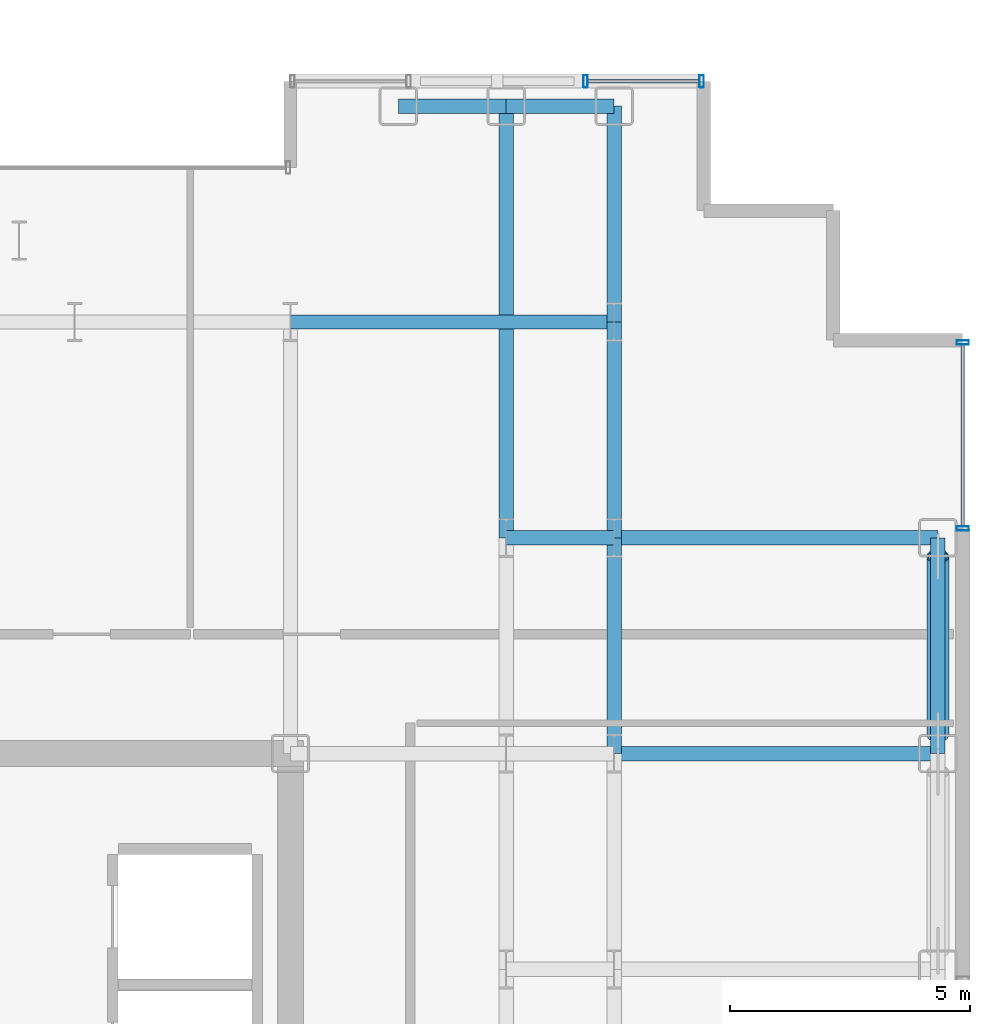
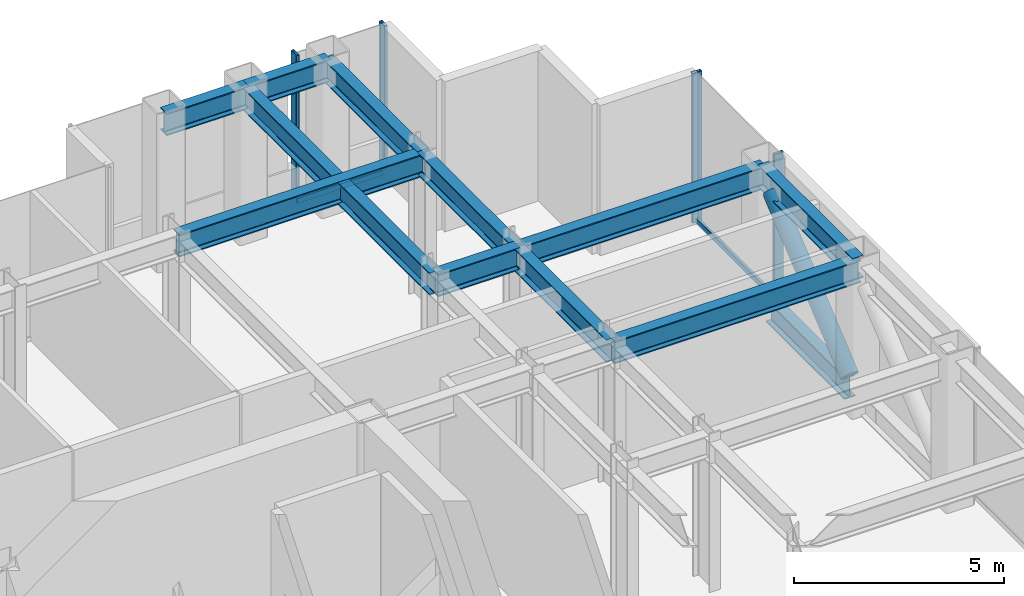
# One storey, part 16 of 26: 11 beams, 8 members, 2 elements without a shape of their own.
"""IFC4 building model written with IfcOpenShell, lengths in metres."""

from ifc_helpers import new_model, si_unit, direction, frame, origin, origin_2d, place, context, subcontext, project, spatial, hollow_rectangle, hollow_circle, i_section, extrude, source, transform, mapped, material, layer, layer_set, material_profile, profile_set, type_object, element, aggregate, save


model = new_model("IFC4")

# Units and contexts
model_context = context("Model", 3, precision=1e-05, world=origin(), true_north=direction((0.0, 1.0)))
body_context = subcontext(model_context, "Body", "Model", "MODEL_VIEW")
ifc_project = project(units=[si_unit("LENGTHUNIT", "METRE"), si_unit("AREAUNIT", "SQUARE_METRE"), si_unit("VOLUMEUNIT", "CUBIC_METRE"), si_unit("PLANEANGLEUNIT", "RADIAN"), si_unit("MASSUNIT", "GRAM", prefix="KILO")], contexts=[model_context])

# Site, building, storey
site_placement = place(None, origin())
site = spatial("IfcSite", under=ifc_project, at=site_placement, CompositionType="ELEMENT")
building_placement = place(site_placement, origin())
building = spatial("IfcBuilding", under=site, at=building_placement, Name="Nefas-Gora Pilgrimage Tower", CompositionType="ELEMENT")
storey_placement = place(building_placement, frame((0.0, 0.0, 202.0)))
storey = spatial("IfcBuildingStorey", under=building, at=storey_placement, Name="L50", CompositionType="ELEMENT", Elevation=202.0)

# Beams
ifc_material_1 = material(Name="Steel S355", Category="steel")
ifc_material_profile_1 = material_profile(ifc_material_1, i_section(OverallWidth=0.300048828125, OverallDepth=0.64990234375, WebThickness=0.01611328125, FlangeThickness=0.031005859375, FilletRadius=0.027099609375, at=origin_2d()), Name="HEB 650")
ifc_profile_set_1 = profile_set([ifc_material_profile_1], Name="Steel S355")
beam_type_1 = type_object("IfcBeamType", Name="BM-SPN-HEB500", PredefinedType="SPANDREL", material=ifc_profile_set_1)
shared_shape_1 = source(origin(), body_context, "Body", "SweptSolid", [
    extrude(i_section(OverallWidth=0.300048828125, OverallDepth=0.64990234375, WebThickness=0.01611328125, FlangeThickness=0.031005859375, FilletRadius=0.027099609375, at=origin_2d()), origin(), (0.0, 0.0, 1.0), 4.5),
])
beam_1_placement = place(storey_placement, frame((24.75, 9.0, 4.02490234375), z_axis=(0.0, 1.0, 0.0), x_axis=(-1.0, 0.0, 0.0)))
element("IfcBeam", 1, at=beam_1_placement, inside=storey, type_object=beam_type_1, Name="L50 SP-02 beam", PredefinedType="SPANDREL", context=body_context, shape_type="MappedRepresentation", body=[
    mapped(shared_shape_1, transform((0.0, 0.0, 0.0), x_axis=(1.0, 0.0, 0.0), y_axis=(0.0, 1.0, 0.0), z_axis=(0.0, 0.0, 1.0), scale=1.0)),
])
ifc_material_profile_2 = material_profile(ifc_material_1, i_section(OverallWidth=0.300048828125, OverallDepth=0.64990234375, WebThickness=0.01611328125, FlangeThickness=0.031005859375, FilletRadius=0.027099609375, at=origin_2d()), Name="HEB 650")
ifc_profile_set_2 = profile_set([ifc_material_profile_2], Name="Steel S355")
beam_type_2 = type_object("IfcBeamType", Name="BM-GIR-HEB650", PredefinedType="BEAM", material=ifc_profile_set_2)
shared_shape_2 = source(origin(), body_context, "Body", "SweptSolid", [
    extrude(i_section(OverallWidth=0.300048828125, OverallDepth=0.64990234375, WebThickness=0.01611328125, FlangeThickness=0.031005859375, FilletRadius=0.027099609375, at=origin_2d()), origin(), (0.0, 0.0, 1.0), 9.0),
])
beam_2_placement = place(storey_placement, frame((15.75, 13.5, 4.02490234375), z_axis=(0.0, 1.0, 0.0), x_axis=(-1.0, 0.0, 0.0)))
element("IfcBeam", 2, at=beam_2_placement, inside=storey, type_object=beam_type_2, Name="L50 G-03 beam", PredefinedType="BEAM", context=body_context, shape_type="MappedRepresentation", body=[
    mapped(shared_shape_2, transform((0.0, 0.0, 0.0), x_axis=(1.0, 0.0, 0.0), y_axis=(0.0, 1.0, 0.0), z_axis=(0.0, 0.0, 1.0), scale=1.0)),
])
shared_shape_3 = source(origin(), body_context, "Body", "SweptSolid", [
    extrude(i_section(OverallWidth=0.300048828125, OverallDepth=0.64990234375, WebThickness=0.01611328125, FlangeThickness=0.031005859375, FilletRadius=0.027099609375, at=origin_2d()), origin(), (0.0, 0.0, 1.0), 4.5),
])
for number, where, z_axis, x_axis, name in (
    (3, (18.0, 9.0, 4.02490234375), (0.0, 1.0, 0.0), (-1.0, 0.0, 0.0), "L50 G-03 beam"),
    (4, (18.0, 13.5, 4.02490234375), (0.0, 1.0, 0.0), (-1.0, 0.0, 0.0), "L50 G-03 beam"),
    (5, (18.0, 18.0, 4.02490234375), (0.0, 1.0, 0.0), (-1.0, 0.0, 0.0), "L50 G-03 beam"),
):
    element("IfcBeam", number, at=place(storey_placement, frame(where, z_axis=z_axis, x_axis=x_axis)), inside=storey, type_object=beam_type_2, Name=name, PredefinedType="BEAM", context=body_context, shape_type="MappedRepresentation", body=[
        mapped(shared_shape_3, transform((0.0, 0.0, 0.0), x_axis=(1.0, 0.0, 0.0), y_axis=(0.0, 1.0, 0.0), z_axis=(0.0, 0.0, 1.0), scale=1.0)),
    ])
shared_shape_4 = source(origin(), body_context, "Body", "SweptSolid", [
    extrude(i_section(OverallWidth=0.300048828125, OverallDepth=0.64990234375, WebThickness=0.01611328125, FlangeThickness=0.031005859375, FilletRadius=0.027099609375, at=origin_2d()), origin(), (0.0, 0.0, 1.0), 6.75),
])
for number, where, z_axis, x_axis, name in (
    (6, (11.25, 18.0, 4.02490234375), (1.0, 0.0, 0.0), (0.0, 1.0, 0.0), "L50 G-03 beam"),
    (7, (18.0, 9.0, 4.02490234375), (1.0, 0.0, 0.0), (0.0, 1.0, 0.0), "L50 G-03 beam"),
    (8, (18.0, 13.5, 4.02490234375), (1.0, 0.0, 0.0), (0.0, 1.0, 0.0), "L50 G-03 beam"),
):
    element("IfcBeam", number, at=place(storey_placement, frame(where, z_axis=z_axis, x_axis=x_axis)), inside=storey, type_object=beam_type_2, Name=name, PredefinedType="BEAM", context=body_context, shape_type="MappedRepresentation", body=[
        mapped(shared_shape_4, transform((0.0, 0.0, 0.0), x_axis=(1.0, 0.0, 0.0), y_axis=(0.0, 1.0, 0.0), z_axis=(0.0, 0.0, 1.0), scale=1.0)),
    ])
shared_shape_5 = source(origin(), body_context, "Body", "SweptSolid", [
    extrude(i_section(OverallWidth=0.300048828125, OverallDepth=0.64990234375, WebThickness=0.01611328125, FlangeThickness=0.031005859375, FilletRadius=0.027099609375, at=origin_2d()), origin(), (0.0, 0.0, 1.0), 2.25),
])
for number, where, z_axis, x_axis, name in (
    (9, (13.5, 22.5, 4.02490234375), (1.0, 0.0, 0.0), (0.0, 1.0, 0.0), "L50 SP-02 beam"),
    (10, (15.75, 22.5, 4.02490234375), (1.0, 0.0, 0.0), (0.0, 1.0, 0.0), "L50 SP-02 beam"),
):
    element("IfcBeam", number, at=place(storey_placement, frame(where, z_axis=z_axis, x_axis=x_axis)), inside=storey, type_object=beam_type_1, Name=name, PredefinedType="SPANDREL", context=body_context, shape_type="MappedRepresentation", body=[
        mapped(shared_shape_5, transform((0.0, 0.0, 0.0), x_axis=(1.0, 0.0, 0.0), y_axis=(0.0, 1.0, 0.0), z_axis=(0.0, 0.0, 1.0), scale=1.0)),
    ])
shared_shape_6 = source(origin(), body_context, "Body", "SweptSolid", [
    extrude(i_section(OverallWidth=0.300048828125, OverallDepth=0.64990234375, WebThickness=0.01611328125, FlangeThickness=0.031005859375, FilletRadius=0.027099609375, at=origin_2d()), origin(), (0.0, 0.0, 1.0), 2.25),
])
beam_3_placement = place(storey_placement, frame((15.75, 13.5, 4.02490234375), z_axis=(1.0, 0.0, 0.0), x_axis=(0.0, 1.0, 0.0)))
element("IfcBeam", 11, at=beam_3_placement, inside=storey, type_object=beam_type_2, Name="L50 G-03 beam", PredefinedType="BEAM", context=body_context, shape_type="MappedRepresentation", body=[
    mapped(shared_shape_6, transform((0.0, 0.0, 0.0), x_axis=(1.0, 0.0, 0.0), y_axis=(0.0, 1.0, 0.0), z_axis=(0.0, 0.0, 1.0), scale=1.0)),
])

# Members
ifc_material_2 = material(Name="Steel S460", Category="steel")
ifc_material_profile_3 = material_profile(ifc_material_2, hollow_circle(Radius=0.228515625, WallThickness=0.028076171875, at=origin_2d()), Name="CHS 457x28")
ifc_profile_set_3 = profile_set([ifc_material_profile_3], Name="Steel S460")
member_type_1 = type_object("IfcMemberType", Name="MEM-BELT-457", PredefinedType="BRACE", material=ifc_profile_set_3)
shared_shape_7 = source(origin(), body_context, "Body", "SweptSolid", [
    extrude(hollow_circle(Radius=0.228515625, WallThickness=0.028076171875, at=origin_2d()), origin(), (0.0, 0.0, 1.0), 4.84765625),
])
member_1_placement = place(storey_placement, frame((24.75, 9.387939453125, 0.67333984375), z_axis=(0.0, 0.768237791814, 0.640164584485), x_axis=(-1.0, 0.0, 0.0)))
element("IfcMember", 12, at=member_1_placement, inside=storey, type_object=member_type_1, Name="L50 Perimeter Belt-Truss Diagonal 8", PredefinedType="BRACE", context=body_context, shape_type="MappedRepresentation", body=[
    mapped(shared_shape_7, transform((0.0, 0.0, 0.0), x_axis=(1.0, 0.0, 0.0), y_axis=(0.0, 1.0, 0.0), z_axis=(0.0, 0.0, 1.0), scale=1.0)),
])
ifc_material_profile_4 = material_profile(ifc_material_2, i_section(OverallWidth=0.300048828125, OverallDepth=0.64990234375, WebThickness=0.01611328125, FlangeThickness=0.031005859375, FilletRadius=0.027099609375, at=origin_2d()), Name="HEB 650")
ifc_profile_set_4 = profile_set([ifc_material_profile_4], Name="Steel S460")
member_type_2 = type_object("IfcMemberType", Name="MEM-BELT-CHORD", PredefinedType="CHORD", material=ifc_profile_set_4)
shared_shape_8 = source(origin(), body_context, "Body", "SweptSolid", [
    extrude(i_section(OverallWidth=0.300048828125, OverallDepth=0.64990234375, WebThickness=0.01611328125, FlangeThickness=0.031005859375, FilletRadius=0.027099609375, at=origin_2d()), origin(), (0.0, 0.0, 1.0), 3.72412109375),
])
member_2_placement = place(storey_placement, frame((24.75, 9.387939453125, 0.35009765625), z_axis=(0.0, 1.0, 0.0), x_axis=(-1.0, 0.0, 0.0)))
element("IfcMember", 13, at=member_2_placement, inside=storey, type_object=member_type_2, Name="L50 Perimeter Belt-Truss Bottom Chord 8", PredefinedType="CHORD", context=body_context, shape_type="MappedRepresentation", body=[
    mapped(shared_shape_8, transform((0.0, 0.0, 0.0), x_axis=(1.0, 0.0, 0.0), y_axis=(0.0, 1.0, 0.0), z_axis=(0.0, 0.0, 1.0), scale=1.0)),
])

# Curtain wall, members
ifc_material_3 = material(Name="Dark ceramic-fritted solar-control aluminium-glass curtain wall", Category="aluminium")
ifc_layer = layer(ifc_material_3, 0.219970703125)
ifc_layer_set = layer_set([ifc_layer], Name="Dark ceramic-fritted solar-control aluminium-glass curtain wall")
curtain_wall_type = type_object("IfcCurtainWallType", Name="CW-SYS-3", PredefinedType="NOTDEFINED", material=ifc_layer_set)
curtain_wall_1_placement = place(storey_placement, origin())
curtain_wall_1 = element("IfcCurtainWall", 14, at=curtain_wall_1_placement, inside=storey, type_object=curtain_wall_type, Name="L50 Unitised Curtain Wall CW3", PredefinedType="NOTDEFINED")
ifc_material_4 = material(Name="Anodised architectural aluminium", Category="aluminium")
ifc_material_profile_5 = material_profile(ifc_material_4, hollow_rectangle(XDim=0.090087890625, YDim=0.260009765625, WallThickness=0.006103515625, InnerFilletRadius=0.006103515625, OuterFilletRadius=0.011962890625, at=origin_2d()), Name="ALU MULLION 90x260")
ifc_profile_set_5 = profile_set([ifc_material_profile_5], Name="Anodised architectural aluminium")
member_type_3 = type_object("IfcMemberType", Name="CWM-MUL-3", PredefinedType="MULLION", material=ifc_profile_set_5)
shared_shape_9 = source(origin(), body_context, "Body", "SweptSolid", [
    extrude(hollow_rectangle(XDim=0.090087890625, YDim=0.260009765625, WallThickness=0.006103515625, InnerFilletRadius=0.006103515625, OuterFilletRadius=0.011962890625, at=origin_2d()), origin(), (0.0, 0.0, 1.0), 4.35009765625),
])
member_3_placement = place(storey_placement, frame((25.27001953125, 13.695068359375, 0.0), z_axis=(0.0, 0.0, 1.0), x_axis=(0.0, 1.0, 0.0)))
member_3 = element("IfcMember", 15, at=member_3_placement, type_object=member_type_3, Name="CW3 Mullion 1", PredefinedType="MULLION", context=body_context, shape_type="MappedRepresentation", body=[
    mapped(shared_shape_9, transform((0.0, 0.0, 0.0), x_axis=(1.0, 0.0, 0.0), y_axis=(0.0, 1.0, 0.0), z_axis=(0.0, 0.0, 1.0), scale=1.0)),
])
member_4_placement = place(storey_placement, frame((25.27001953125, 17.574951171875, 0.0), z_axis=(0.0, 0.0, 1.0), x_axis=(0.0, 1.0, 0.0)))
member_4 = element("IfcMember", 16, at=member_4_placement, type_object=member_type_3, Name="CW3 Mullion 2", PredefinedType="MULLION", context=body_context, shape_type="MappedRepresentation", body=[
    mapped(shared_shape_9, transform((0.0, 0.0, 0.0), x_axis=(1.0, 0.0, 0.0), y_axis=(0.0, 1.0, 0.0), z_axis=(0.0, 0.0, 1.0), scale=1.0)),
])

curtain_wall_2_placement = place(storey_placement, origin())
curtain_wall_2 = element("IfcCurtainWall", 17, at=curtain_wall_2_placement, inside=storey, type_object=curtain_wall_type, Name="L50 Unitised Curtain Wall CW3", PredefinedType="NOTDEFINED")
member_5_placement = place(storey_placement, frame((19.824951171875, 23.02001953125, 0.0), z_axis=(0.0, 0.0, 1.0), x_axis=(-1.0, 0.0, 0.0)))
member_5 = element("IfcMember", 18, at=member_5_placement, type_object=member_type_3, Name="CW3 Mullion 1", PredefinedType="MULLION", context=body_context, shape_type="MappedRepresentation", body=[
    mapped(shared_shape_9, transform((0.0, 0.0, 0.0), x_axis=(1.0, 0.0, 0.0), y_axis=(0.0, 1.0, 0.0), z_axis=(0.0, 0.0, 1.0), scale=1.0)),
])
member_6_placement = place(storey_placement, frame((17.405029296875, 23.02001953125, 0.0), z_axis=(0.0, 0.0, 1.0), x_axis=(-1.0, 0.0, 0.0)))
member_6 = element("IfcMember", 19, at=member_6_placement, type_object=member_type_3, Name="CW3 Mullion 2", PredefinedType="MULLION", context=body_context, shape_type="MappedRepresentation", body=[
    mapped(shared_shape_9, transform((0.0, 0.0, 0.0), x_axis=(1.0, 0.0, 0.0), y_axis=(0.0, 1.0, 0.0), z_axis=(0.0, 0.0, 1.0), scale=1.0)),
])
ifc_material_profile_6 = material_profile(ifc_material_4, hollow_rectangle(XDim=0.080078125, YDim=0.159912109375, WallThickness=0.00439453125, InnerFilletRadius=0.00439453125, OuterFilletRadius=0.009033203125, at=origin_2d()), Name="ALU TRANSOM 80x160")
ifc_profile_set_6 = profile_set([ifc_material_profile_6], Name="Anodised architectural aluminium")
member_type_4 = type_object("IfcMemberType", Name="CWM-TRN-3", PredefinedType="USERDEFINED", material=ifc_profile_set_6)
shared_shape_10 = source(origin(), body_context, "Body", "SweptSolid", [
    extrude(hollow_rectangle(XDim=0.080078125, YDim=0.159912109375, WallThickness=0.00439453125, InnerFilletRadius=0.00439453125, OuterFilletRadius=0.009033203125, at=origin_2d()), origin(), (0.0, 0.0, 1.0), 2.330078125),
])
member_7_placement = place(storey_placement, frame((19.780029296875, 23.02001953125, 0.050048828125), z_axis=(-1.0, 0.0, 0.0), x_axis=(0.0, -1.0, 0.0)))
member_7 = element("IfcMember", 20, at=member_7_placement, type_object=member_type_4, Name="CW3 Spandrel Transom", ObjectType="TRANSOM", PredefinedType="USERDEFINED", context=body_context, shape_type="MappedRepresentation", body=[
    mapped(shared_shape_10, transform((0.0, 0.0, 0.0), x_axis=(1.0, 0.0, 0.0), y_axis=(0.0, 1.0, 0.0), z_axis=(0.0, 0.0, 1.0), scale=1.0)),
])
aggregate(curtain_wall_2, [member_5, member_6, member_7])

# Member
shared_shape_11 = source(origin(), body_context, "Body", "SweptSolid", [
    extrude(hollow_rectangle(XDim=0.080078125, YDim=0.159912109375, WallThickness=0.00439453125, InnerFilletRadius=0.00439453125, OuterFilletRadius=0.009033203125, at=origin_2d()), origin(), (0.0, 0.0, 1.0), 3.7900390625),
])
member_8_placement = place(storey_placement, frame((25.27001953125, 13.739990234375, 0.050048828125), z_axis=(0.0, 1.0, 0.0), x_axis=(-1.0, 0.0, 0.0)))
member_8 = element("IfcMember", 21, at=member_8_placement, type_object=member_type_4, Name="CW3 Spandrel Transom", ObjectType="TRANSOM", PredefinedType="USERDEFINED", context=body_context, shape_type="MappedRepresentation", body=[
    mapped(shared_shape_11, transform((0.0, 0.0, 0.0), x_axis=(1.0, 0.0, 0.0), y_axis=(0.0, 1.0, 0.0), z_axis=(0.0, 0.0, 1.0), scale=1.0)),
])

aggregate(curtain_wall_1, [member_3, member_4, member_8])

save(model, "model.ifc")
